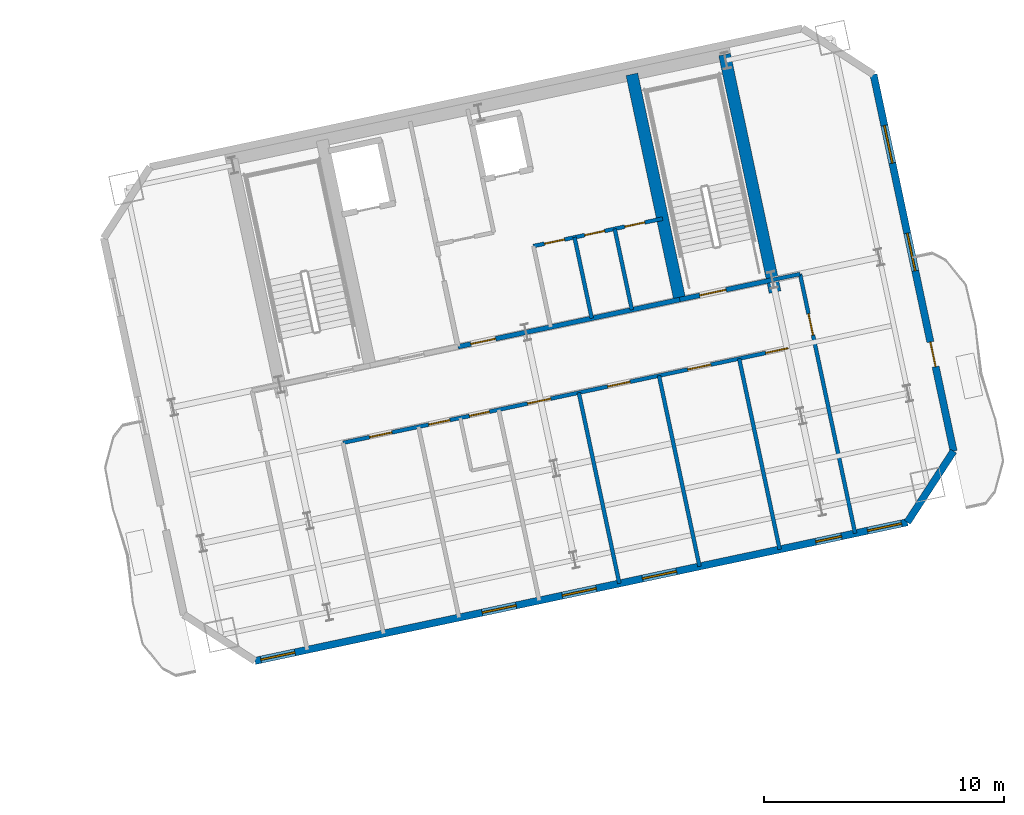
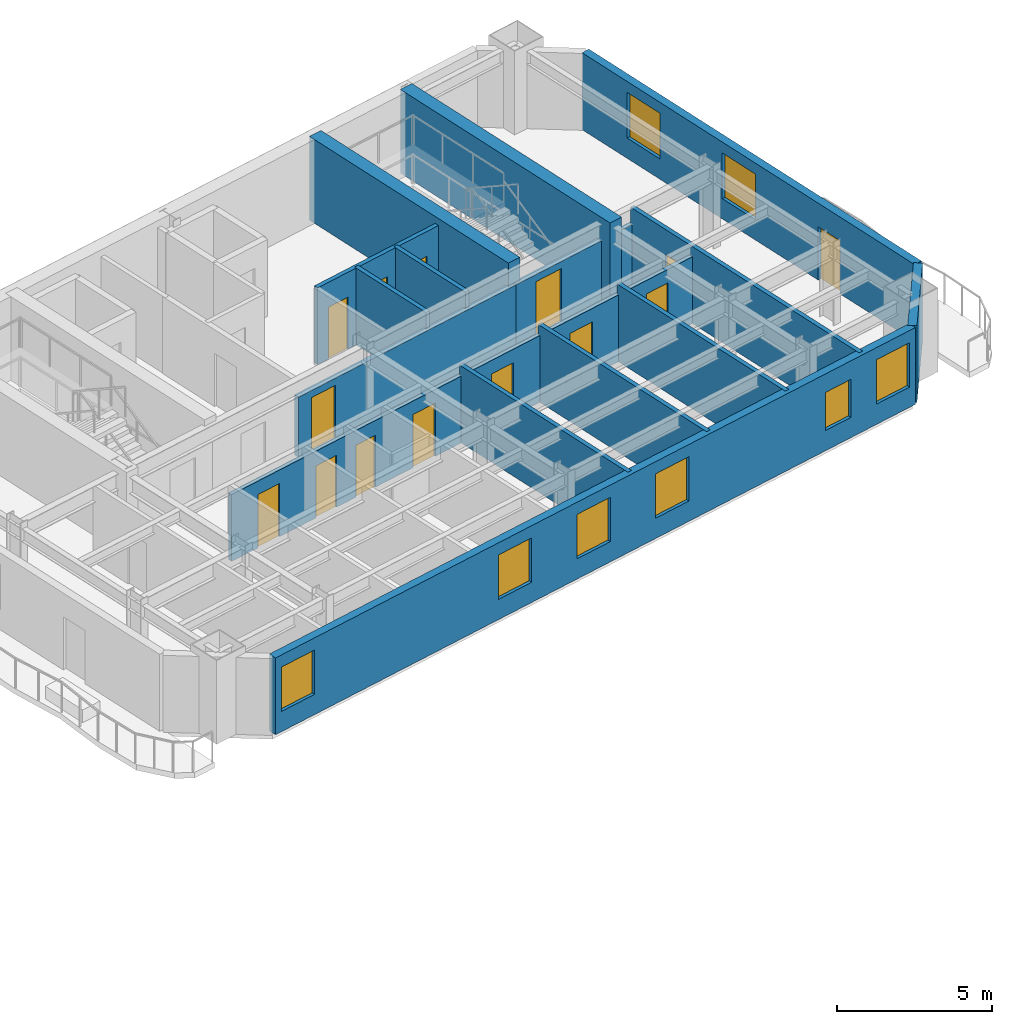
# One storey, part 8 of 13: 16 walls, 14 doors, 8 windows, 22 openings.
"""IFC4 building model written with IfcOpenShell, lengths in metres."""

import ifcopenshell
import ifcopenshell.guid

model = None  # the IFC model being written
_history = None  # IfcOwnerHistory: only IFC2X3 demands one
_inside = {}  # id of a spatial element -> (the spatial element, [elements in it])
_under = {}  # id of a project, library or spatial element -> (it, [spatial elements below it])
_declared = {}  # id of a project -> (the project, [libraries it declares])
_typed = {}  # id of a type object -> (the type object, [elements of that type])
_made_of = {}  # id of a material, layer set ... -> (it, [elements and type objects made of it])


def new_model(schema):
    """Start an empty IFC model of exactly this schema.

    Asked for "IFC4X3", IfcOpenShell would pick the latest addendum, in which some entities
    have other attributes; the version numbers below select the first issue.
    IFC2X3 requires an IfcOwnerHistory on every rooted entity: one is made here for all.
    """
    global model, _history
    if schema == "IFC4X3":
        model = ifcopenshell.file(schema_version=(4, 3, 0, 0))
    else:
        model = ifcopenshell.file(schema=schema)
    _inside.clear()
    _under.clear()
    _declared.clear()
    _typed.clear()
    _made_of.clear()
    _history = None
    if model.schema == "IFC2X3":
        org = make("IfcOrganization", Name="unknown")
        user = make(
            "IfcPersonAndOrganization",
            ThePerson=make("IfcPerson", FamilyName="unknown"),
            TheOrganization=org,
        )
        app = make(
            "IfcApplication",
            ApplicationDeveloper=org,
            Version="unknown",
            ApplicationFullName="unknown",
            ApplicationIdentifier="unknown",
        )
        _history = make(
            "IfcOwnerHistory",
            OwningUser=user,
            OwningApplication=app,
            ChangeAction="ADDED",
            CreationDate=0,
        )
    return model


def make(cls, **values):
    """One entity of the class cls with the attributes given. An attribute that is None is left unset."""
    return model.create_entity(
        cls, **{name: value for name, value in values.items() if value is not None}
    )


def rooted(cls, **values):
    """An entity with a GlobalId (a new one), such as an element, a storey or a relation."""
    return make(cls, GlobalId=ifcopenshell.guid.new(), OwnerHistory=_history, **values)


def si_unit(unit_type, name, prefix=None):
    """IfcSIUnit, for example si_unit("LENGTHUNIT", "METRE", prefix="MILLI")."""
    return make("IfcSIUnit", UnitType=unit_type, Prefix=prefix, Name=name)


def assignment(units):
    """IfcUnitAssignment: the units of a project."""
    return None if units is None else make("IfcUnitAssignment", Units=units)


def point(xyz):
    """IfcCartesianPoint."""
    return None if xyz is None else make("IfcCartesianPoint", Coordinates=xyz)


def direction(xyz):
    """IfcDirection."""
    return None if xyz is None else make("IfcDirection", DirectionRatios=xyz)


def frame(location, z_axis=None, x_axis=None):
    """IfcAxis2Placement3D, a coordinate frame: its origin and axes. An axis left out is left unset."""
    return make(
        "IfcAxis2Placement3D",
        Location=point(location),
        Axis=direction(z_axis),
        RefDirection=direction(x_axis),
    )


def frame_2d(location, x_axis=None):
    """IfcAxis2Placement2D, a coordinate frame in the plane: its origin and x axis."""
    return make(
        "IfcAxis2Placement2D", Location=point(location), RefDirection=direction(x_axis)
    )


def origin():
    """The frame at (0, 0, 0) with its axes left unset."""
    return frame((0.0, 0.0, 0.0))


def place(relative_to, where):
    """IfcLocalPlacement: puts the frame where relative to a parent placement (None: the world)."""
    return make(
        "IfcLocalPlacement", PlacementRelTo=relative_to, RelativePlacement=where
    )


def context(
    kind, dimensions, precision=None, world=None, true_north=None, identifier=None
):
    """IfcGeometricRepresentationContext, for example the 3D "Model" context."""
    return make(
        "IfcGeometricRepresentationContext",
        ContextIdentifier=identifier,
        ContextType=kind,
        CoordinateSpaceDimension=dimensions,
        Precision=precision,
        WorldCoordinateSystem=world,
        TrueNorth=true_north,
    )


def subcontext(parent, identifier, kind, view, scale=None):
    """IfcGeometricRepresentationSubContext, for example "Body" below "Model"."""
    return make(
        "IfcGeometricRepresentationSubContext",
        ContextIdentifier=identifier,
        ContextType=kind,
        ParentContext=parent,
        TargetScale=scale,
        TargetView=view,
    )


def project(units=None, contexts=None):
    """IfcProject with its units and contexts."""
    return rooted(
        "IfcProject",
        Name="project",
        RepresentationContexts=contexts,
        UnitsInContext=assignment(units),
    )


def spatial(cls, under=None, at=None, **own):
    """A site, building, storey or space (cls), placed at a placement, below another one or the project."""
    s = rooted(cls, ObjectPlacement=at, **own)
    if under is not None:
        _under.setdefault(under.id(), (under, []))[1].append(s)
    return s


def profile(cls, at=None, kind="AREA", **sizes):
    """A parametric profile (cls). Its sizes go by their IFC names, for example OverallWidth=200.0."""
    return make(cls, ProfileType=kind, Position=at, **sizes)


def rectangle(**sizes):
    """IfcRectangleProfileDef."""
    return profile("IfcRectangleProfileDef", **sizes)


def extrude(swept, where, along, depth):
    """IfcExtrudedAreaSolid: the profile swept, set in the frame where, extruded along a direction by depth."""
    return make(
        "IfcExtrudedAreaSolid",
        SweptArea=swept,
        Position=where,
        ExtrudedDirection=direction(along),
        Depth=depth,
    )


def shape(context_of_items, identifier, shape_type, items):
    """IfcShapeRepresentation: the items that make up one representation, for example the "Body"."""
    return make(
        "IfcShapeRepresentation",
        ContextOfItems=context_of_items,
        RepresentationIdentifier=identifier,
        RepresentationType=shape_type,
        Items=items,
    )


def material(Name=None, Category=None):
    """IfcMaterial."""
    return make("IfcMaterial", Name=Name, Category=Category)


def layer(
    of_material, thickness, ventilated=None, Name=None, Category=None, Priority=None
):
    """IfcMaterialLayer: one layer of a wall or slab, of a material (None: an air gap)."""
    return make(
        "IfcMaterialLayer",
        Material=of_material,
        LayerThickness=thickness,
        IsVentilated=ventilated,
        Name=Name,
        Category=Category,
        Priority=Priority,
    )


def layer_set(layers, Name=None):
    """IfcMaterialLayerSet."""
    return make("IfcMaterialLayerSet", MaterialLayers=layers, LayerSetName=Name)


def made_of(thing, what):
    """Note that an element or type object is made of a material, layer set ...; save() writes the relation."""
    if what is not None:
        _made_of.setdefault(what.id(), (what, []))[1].append(thing)
    return thing


def type_object(cls, material=None, **own):
    """A type object (cls), such as IfcWallType, which elements share."""
    return made_of(rooted(cls, **own), material)


def element(
    cls,
    number,
    at=None,
    inside=None,
    cuts=None,
    type_object=None,
    material=None,
    context=None,
    identifier="Body",
    shape_type=None,
    held_by="IfcProductDefinitionShape",
    body=None,
    shapes=None,
    **own,
):
    """One element of the class cls, such as IfcWall. Its Tag is "e" and its number.

    at: its placement. inside: the storey or other place that contains it. cuts: it is an
    opening in that element (IfcRelVoidsElement). A single representation is given by context,
    identifier, shape_type and body (its items); several are given by shapes. held_by: the class
    of the entity that holds the representations. save() writes the other relations.
    """
    e = rooted(cls, Tag="e%d" % number, ObjectPlacement=at, **own)
    if body is not None:
        shapes = [shape(context, identifier, shape_type, body)]
    if shapes is not None:
        e.Representation = make(held_by, Representations=shapes)
    if inside is not None:
        _inside.setdefault(inside.id(), (inside, []))[1].append(e)
    if cuts is not None:
        rooted(
            "IfcRelVoidsElement", RelatingBuildingElement=cuts, RelatedOpeningElement=e
        )
    if type_object is not None:
        _typed.setdefault(type_object.id(), (type_object, []))[1].append(e)
    return made_of(e, material)


def fill(opening, filler):
    """IfcRelFillsElement: the door or window that sits in an opening."""
    return rooted(
        "IfcRelFillsElement",
        RelatingOpeningElement=opening,
        RelatedBuildingElement=filler,
    )


def aggregate(whole, parts):
    """IfcRelAggregates: a whole, such as a stair, and the parts it consists of."""
    return rooted("IfcRelAggregates", RelatingObject=whole, RelatedObjects=parts)


def save(model, path):
    """Write the relations noted so far, then the file.

    IfcRelAggregates (storeys below a building ...), IfcRelContainedInSpatialStructure (elements
    in a storey), IfcRelDefinesByType, IfcRelAssociatesMaterial and IfcRelDeclares: one each for
    every whole, place, type object, material and project.
    """
    for whole, parts in _under.values():
        aggregate(whole, parts)
    for where, things in _inside.values():
        rooted(
            "IfcRelContainedInSpatialStructure",
            RelatedElements=things,
            RelatingStructure=where,
        )
    for kind, things in _typed.values():
        rooted("IfcRelDefinesByType", RelatedObjects=things, RelatingType=kind)
    for what, things in _made_of.values():
        rooted("IfcRelAssociatesMaterial", RelatedObjects=things, RelatingMaterial=what)
    for by, libraries in _declared.values():
        rooted("IfcRelDeclares", RelatingContext=by, RelatedDefinitions=libraries)
    model.write(path)


model = new_model("IFC4")

# Units and contexts
model_context = context("Model", 3, precision=1e-05, world=origin(), true_north=direction((0.0, 1.0)))
body_context = subcontext(model_context, "Body", "Model", "MODEL_VIEW")
ifc_project = project(units=[si_unit("LENGTHUNIT", "METRE"), si_unit("AREAUNIT", "SQUARE_METRE"), si_unit("VOLUMEUNIT", "CUBIC_METRE"), si_unit("PLANEANGLEUNIT", "RADIAN"), si_unit("MASSUNIT", "GRAM", prefix="KILO")], contexts=[model_context])

# Site, building, storey
site_placement = place(None, origin())
site = spatial("IfcSite", under=ifc_project, at=site_placement, CompositionType="ELEMENT")
building_placement = place(site_placement, origin())
building = spatial("IfcBuilding", under=site, at=building_placement, Name="Haevon Station Towers", CompositionType="ELEMENT")
storey_placement = place(building_placement, frame((0.0, 0.0, 149.39990234375)))
storey = spatial("IfcBuildingStorey", under=building, at=storey_placement, Name="L40", CompositionType="ELEMENT", Elevation=149.39990234375)

# Wall, opening, door
ifc_material_1 = material(Name="Gypsum board on steel stud", Category="steel")
ifc_layer_1 = layer(ifc_material_1, 0.199951171875)
ifc_layer_set_1 = layer_set([ifc_layer_1], Name="Gypsum board on steel stud")
wall_type_1 = type_object("IfcWallType", Name="WL-COR200", PredefinedType="PARTITIONING", material=ifc_layer_set_1)
wall_1_placement = place(storey_placement, frame((115.4296875, 40.9873046875, 0.0), z_axis=(0.0, 0.0, 1.0), x_axis=(0.978146596989, 0.207916413008, 0.0)))
wall_1 = element("IfcWall", 1, at=wall_1_placement, inside=storey, type_object=wall_type_1, Name="WL-ST-ST4-L40", PredefinedType="PARTITIONING", context=body_context, shape_type="SweptSolid", body=[
    extrude(rectangle(XDim=3.9501953125, YDim=0.199951171875, at=frame_2d((1.97509765625, 0.0))), origin(), (0.0, 0.0, 1.0), 2.380126953125),
])
opening_1_placement = place(wall_1_placement, frame((0.85009765625, 0.0, 0.0)))
opening_1 = element("IfcOpeningElement", 2, at=opening_1_placement, cuts=wall_1, Name="Opening DR-ST-ST4-L40", PredefinedType="OPENING", context=body_context, shape_type="SweptSolid", body=[
    extrude(rectangle(XDim=1.1201171875, YDim=2.10009765625, at=frame_2d((0.56005859375, 1.050048828125))), frame((0.0, 0.10986328125, 0.0), z_axis=(0.0, -1.0, 0.0), x_axis=(1.0, 0.0, 0.0)), (0.0, 0.0, 1.0), 0.219970703125),
])
ifc_material_2 = material(Name="Engineered oak timber", Category="wood")
door_type_1 = type_object("IfcDoorType", Name="DR-ST-1120", OperationType="NOTDEFINED", PredefinedType="DOOR", material=ifc_material_2)
door_1_placement = place(opening_1_placement, origin())
door_1 = element("IfcDoor", 3, at=door_1_placement, inside=storey, type_object=door_type_1, Name="L40 Escape Stair ST4 Fire Door", OperationType="SINGLE_SWING_RIGHT", OverallHeight=2.10009765625, OverallWidth=1.1201171875, PredefinedType="DOOR", context=body_context, shape_type="SweptSolid", body=[
    extrude(rectangle(XDim=1.1201171875, YDim=2.10009765625, at=frame_2d((0.56005859375, 1.050048828125))), frame((0.0, 0.02490234375, 0.0), z_axis=(0.0, -1.0, 0.0), x_axis=(1.0, 0.0, 0.0)), (0.0, 0.0, 1.0), 0.050048828125),
])
fill(opening_1, door_1)

wall_2_placement = place(storey_placement, frame((106.186279296875, 39.0224609375, 0.0), z_axis=(0.0, 0.0, 1.0), x_axis=(0.978145519981, 0.20792147975, 0.0)))
wall_2 = element("IfcWall", 4, at=wall_2_placement, inside=storey, type_object=wall_type_1, Name="WL-T2CLB-L40", PredefinedType="PARTITIONING", context=body_context, shape_type="SweptSolid", body=[
    extrude(rectangle(XDim=9.449951171875, YDim=0.199951171875, at=frame_2d((4.72509765625, 0.0))), origin(), (0.0, 0.0, 1.0), 2.380126953125),
])
opening_2_placement = place(wall_2_placement, frame((0.550048828125, 0.0, 0.0)))
opening_2 = element("IfcOpeningElement", 5, at=opening_2_placement, cuts=wall_2, Name="Opening DR-T2CLB-L40-1", PredefinedType="OPENING", context=body_context, shape_type="SweptSolid", body=[
    extrude(rectangle(XDim=1.050048828125, YDim=2.10009765625, at=frame_2d((0.52490234375, 1.050048828125))), frame((0.0, 0.10986328125, 0.0), z_axis=(0.0, -1.0, 0.0), x_axis=(1.0, 0.0, 0.0)), (0.0, 0.0, 1.0), 0.219970703125),
])
door_type_2 = type_object("IfcDoorType", Name="DR-FD60-1050", OperationType="NOTDEFINED", PredefinedType="DOOR", material=ifc_material_2)
door_2_placement = place(opening_2_placement, origin())
door_2 = element("IfcDoor", 6, at=door_2_placement, inside=storey, type_object=door_type_2, Name="L40 Tower 2 Core Lift Lobby Door 1", OperationType="SINGLE_SWING_LEFT", OverallHeight=2.10009765625, OverallWidth=1.050048828125, PredefinedType="DOOR", context=body_context, shape_type="SweptSolid", body=[
    extrude(rectangle(XDim=1.050048828125, YDim=2.10009765625, at=frame_2d((0.52490234375, 1.050048828125))), frame((0.0, 0.02490234375, 0.0), z_axis=(0.0, -1.0, 0.0), x_axis=(1.0, 0.0, 0.0)), (0.0, 0.0, 1.0), 0.050048828125),
])
fill(opening_2, door_2)

# Walls
ifc_material_3 = material(Name="Concrete C60/75", Category="concrete")
ifc_layer_2 = layer(ifc_material_3, 0.5)
ifc_layer_set_2 = layer_set([ifc_layer_2], Name="Concrete C60/75")
wall_type_2 = type_object("IfcWallType", Name="WL-CR500", PredefinedType="SHEAR", material=ifc_layer_set_2)
wall_3_placement = place(storey_placement, frame((119.401611328125, 41.2998046875, 0.0), z_axis=(0.0, 0.0, 1.0), x_axis=(-0.207904342798, 0.978149162575, 0.0)))
element("IfcWall", 7, at=wall_3_placement, inside=storey, type_object=wall_type_2, Name="WL-T2CR-L40-E", PredefinedType="SHEAR", context=body_context, shape_type="SweptSolid", body=[
    extrude(rectangle(XDim=10.1201171875, YDim=0.5, at=frame_2d((5.06005859375, 0.0))), origin(), (0.0, 0.0, 1.0), 3.300048828125),
])
wall_4_placement = place(storey_placement, frame((115.4296875, 40.9873046875, 0.0), z_axis=(0.0, 0.0, 1.0), x_axis=(-0.207903162969, 0.978149413345, 0.0)))
element("IfcWall", 8, at=wall_4_placement, inside=storey, type_object=wall_type_2, Name="WL-T2CR-L40-M2", PredefinedType="SHEAR", context=body_context, shape_type="SweptSolid", body=[
    extrude(rectangle(XDim=9.599853515625, YDim=0.5, at=frame_2d((4.7998046875, 0.0))), origin(), (0.0, 0.0, 1.0), 3.300048828125),
])

# Wall, openings, windows
ifc_material_4 = material(Name="Precast concrete C45/55", Category="concrete")
ifc_layer_3 = layer(ifc_material_4, 0.300048828125)
ifc_layer_set_3 = layer_set([ifc_layer_3], Name="Precast concrete C45/55")
wall_type_3 = type_object("IfcWallType", Name="WL-EXT-PIER300", PredefinedType="SOLIDWALL", material=ifc_layer_set_3)
wall_5_placement = place(storey_placement, frame((124.91650390625, 31.70703125, 0.0), z_axis=(0.0, 0.0, 1.0), x_axis=(-0.978146796741, -0.20791547327, 0.0)))
wall_5 = element("IfcWall", 9, at=wall_5_placement, inside=storey, type_object=wall_type_3, Name="WL-T2-L40-S", PredefinedType="SOLIDWALL", context=body_context, shape_type="SweptSolid", body=[
    extrude(rectangle(XDim=27.7998046875, YDim=0.300048828125, at=frame_2d((13.89990234375, 0.0))), origin(), (0.0, 0.0, 1.0), 3.030029296875),
])
opening_3_placement = place(wall_5_placement, frame((26.10009765625, 0.0, 0.800048828125)))
opening_3 = element("IfcOpeningElement", 10, at=opening_3_placement, cuts=wall_5, Name="Opening WN-P145", PredefinedType="OPENING", context=body_context, shape_type="SweptSolid", body=[
    extrude(rectangle(XDim=1.449951171875, YDim=1.75, at=frame_2d((0.72509765625, 0.875))), frame((0.0, 0.159912109375, 0.0), z_axis=(0.0, -1.0, 0.0), x_axis=(1.0, 0.0, 0.0)), (0.0, 0.0, 1.0), 0.320068359375),
])
opening_4_placement = place(wall_5_placement, frame((0.25, 0.0, 0.800048828125)))
opening_4 = element("IfcOpeningElement", 11, at=opening_4_placement, cuts=wall_5, Name="Opening WN-P145", PredefinedType="OPENING", context=body_context, shape_type="SweptSolid", body=[
    extrude(rectangle(XDim=1.449951171875, YDim=1.75, at=frame_2d((0.72509765625, 0.875))), frame((0.0, 0.159912109375, 0.0), z_axis=(0.0, -1.0, 0.0), x_axis=(1.0, 0.0, 0.0)), (0.0, 0.0, 1.0), 0.320068359375),
])
opening_5_placement = place(wall_5_placement, frame((16.671630859375, 0.0, 0.800048828125)))
opening_5 = element("IfcOpeningElement", 12, at=opening_5_placement, cuts=wall_5, Name="Opening WN-P145", PredefinedType="OPENING", context=body_context, shape_type="SweptSolid", body=[
    extrude(rectangle(XDim=1.449951171875, YDim=1.75, at=frame_2d((0.72509765625, 0.875))), frame((0.0, 0.159912109375, 0.0), z_axis=(0.0, -1.0, 0.0), x_axis=(1.0, 0.0, 0.0)), (0.0, 0.0, 1.0), 0.320068359375),
])
opening_6_placement = place(wall_5_placement, frame((13.255615234375, 0.0, 0.800048828125)))
opening_6 = element("IfcOpeningElement", 13, at=opening_6_placement, cuts=wall_5, Name="Opening WN-P145", PredefinedType="OPENING", context=body_context, shape_type="SweptSolid", body=[
    extrude(rectangle(XDim=1.449951171875, YDim=1.75, at=frame_2d((0.72509765625, 0.875))), frame((0.0, 0.159912109375, 0.0), z_axis=(0.0, -1.0, 0.0), x_axis=(1.0, 0.0, 0.0)), (0.0, 0.0, 1.0), 0.320068359375),
])
opening_7_placement = place(wall_5_placement, frame((9.83935546875, 0.0, 0.800048828125)))
opening_7 = element("IfcOpeningElement", 14, at=opening_7_placement, cuts=wall_5, Name="Opening WN-P145", PredefinedType="OPENING", context=body_context, shape_type="SweptSolid", body=[
    extrude(rectangle(XDim=1.449951171875, YDim=1.75, at=frame_2d((0.72509765625, 0.875))), frame((0.0, 0.159912109375, 0.0), z_axis=(0.0, -1.0, 0.0), x_axis=(1.0, 0.0, 0.0)), (0.0, 0.0, 1.0), 0.320068359375),
])
opening_8_placement = place(wall_5_placement, frame((2.808349609375, 0.0, 0.800048828125)))
opening_8 = element("IfcOpeningElement", 15, at=opening_8_placement, cuts=wall_5, Name="Opening WN-COR110", PredefinedType="OPENING", context=body_context, shape_type="SweptSolid", body=[
    extrude(rectangle(XDim=1.10009765625, YDim=1.5, at=frame_2d((0.550048828125, 0.75))), frame((0.0, 0.159912109375, 0.0), z_axis=(0.0, -1.0, 0.0), x_axis=(1.0, 0.0, 0.0)), (0.0, 0.0, 1.0), 0.320068359375),
])
ifc_material_5 = material(Name="Low-E triple glazing in thermally broken aluminium", Category="aluminium")
window_type_1 = type_object("IfcWindowType", Name="WN-COR110", PartitioningType="SINGLE_PANEL", PredefinedType="WINDOW", material=ifc_material_5)
window_1_placement = place(opening_8_placement, origin())
window_1 = element("IfcWindow", 16, at=window_1_placement, inside=storey, type_object=window_type_1, Name="WN-T2-L40-S06", OverallHeight=1.5, OverallWidth=1.10009765625, PartitioningType="SINGLE_PANEL", PredefinedType="WINDOW", context=body_context, shape_type="SweptSolid", body=[
    extrude(rectangle(XDim=1.10009765625, YDim=1.5, at=frame_2d((0.550048828125, 0.75))), frame((0.0, 0.030029296875, 0.0), z_axis=(0.0, -1.0, 0.0), x_axis=(1.0, 0.0, 0.0)), (0.0, 0.0, 1.0), 0.06005859375),
])
fill(opening_8, window_1)
window_type_2 = type_object("IfcWindowType", Name="WN-P145", PartitioningType="SINGLE_PANEL", PredefinedType="WINDOW", material=ifc_material_5)
window_2_placement = place(opening_3_placement, origin())
window_2 = element("IfcWindow", 17, at=window_2_placement, inside=storey, type_object=window_type_2, Name="WN-T2-L40-S01", OverallHeight=1.75, OverallWidth=1.449951171875, PartitioningType="SINGLE_PANEL", PredefinedType="WINDOW", context=body_context, shape_type="SweptSolid", body=[
    extrude(rectangle(XDim=1.449951171875, YDim=1.75, at=frame_2d((0.72509765625, 0.875))), frame((0.0, 0.030029296875, 0.0), z_axis=(0.0, -1.0, 0.0), x_axis=(1.0, 0.0, 0.0)), (0.0, 0.0, 1.0), 0.06005859375),
])
fill(opening_3, window_2)
window_3_placement = place(opening_4_placement, origin())
window_3 = element("IfcWindow", 18, at=window_3_placement, inside=storey, type_object=window_type_2, Name="WN-T2-L40-S02", OverallHeight=1.75, OverallWidth=1.449951171875, PartitioningType="SINGLE_PANEL", PredefinedType="WINDOW", context=body_context, shape_type="SweptSolid", body=[
    extrude(rectangle(XDim=1.449951171875, YDim=1.75, at=frame_2d((0.72509765625, 0.875))), frame((0.0, 0.030029296875, 0.0), z_axis=(0.0, -1.0, 0.0), x_axis=(1.0, 0.0, 0.0)), (0.0, 0.0, 1.0), 0.06005859375),
])
fill(opening_4, window_3)
window_4_placement = place(opening_5_placement, origin())
window_4 = element("IfcWindow", 19, at=window_4_placement, inside=storey, type_object=window_type_2, Name="WN-T2-L40-S03", OverallHeight=1.75, OverallWidth=1.449951171875, PartitioningType="SINGLE_PANEL", PredefinedType="WINDOW", context=body_context, shape_type="SweptSolid", body=[
    extrude(rectangle(XDim=1.449951171875, YDim=1.75, at=frame_2d((0.72509765625, 0.875))), frame((0.0, 0.030029296875, 0.0), z_axis=(0.0, -1.0, 0.0), x_axis=(1.0, 0.0, 0.0)), (0.0, 0.0, 1.0), 0.06005859375),
])
fill(opening_5, window_4)
window_5_placement = place(opening_6_placement, origin())
window_5 = element("IfcWindow", 20, at=window_5_placement, inside=storey, type_object=window_type_2, Name="WN-T2-L40-S04", OverallHeight=1.75, OverallWidth=1.449951171875, PartitioningType="SINGLE_PANEL", PredefinedType="WINDOW", context=body_context, shape_type="SweptSolid", body=[
    extrude(rectangle(XDim=1.449951171875, YDim=1.75, at=frame_2d((0.72509765625, 0.875))), frame((0.0, 0.030029296875, 0.0), z_axis=(0.0, -1.0, 0.0), x_axis=(1.0, 0.0, 0.0)), (0.0, 0.0, 1.0), 0.06005859375),
])
fill(opening_6, window_5)
window_6_placement = place(opening_7_placement, origin())
window_6 = element("IfcWindow", 21, at=window_6_placement, inside=storey, type_object=window_type_2, Name="WN-T2-L40-S05", OverallHeight=1.75, OverallWidth=1.449951171875, PartitioningType="SINGLE_PANEL", PredefinedType="WINDOW", context=body_context, shape_type="SweptSolid", body=[
    extrude(rectangle(XDim=1.449951171875, YDim=1.75, at=frame_2d((0.72509765625, 0.875))), frame((0.0, 0.030029296875, 0.0), z_axis=(0.0, -1.0, 0.0), x_axis=(1.0, 0.0, 0.0)), (0.0, 0.0, 1.0), 0.06005859375),
])
fill(opening_7, window_6)

# Wall, openings, door, windows
wall_6_placement = place(storey_placement, frame((123.505126953125, 50.371337890625, 0.0), z_axis=(0.0, 0.0, 1.0), x_axis=(0.207922793235, -0.978145240776, 0.0)))
wall_6 = element("IfcWall", 22, at=wall_6_placement, inside=storey, type_object=wall_type_3, Name="WL-T2-L40-E", PredefinedType="SOLIDWALL", context=body_context, shape_type="SweptSolid", body=[
    extrude(rectangle(XDim=16.050048828125, YDim=0.300048828125, at=frame_2d((8.02490234375, 0.0))), origin(), (0.0, 0.0, 1.0), 3.030029296875),
])
opening_9_placement = place(wall_6_placement, frame((11.39990234375, 0.0, 0.0)))
opening_9 = element("IfcOpeningElement", 23, at=opening_9_placement, cuts=wall_6, Name="Opening DR-T2-SCAL-L40-E", PredefinedType="OPENING", context=body_context, shape_type="SweptSolid", body=[
    extrude(rectangle(XDim=1.050048828125, YDim=2.10009765625, at=frame_2d((0.52490234375, 1.050048828125))), frame((0.0, 0.159912109375, 0.0), z_axis=(0.0, -1.0, 0.0), x_axis=(1.0, 0.0, 0.0)), (0.0, 0.0, 1.0), 0.320068359375),
])
opening_10_placement = place(wall_6_placement, frame((2.1767578125, 0.0, 0.800048828125)))
opening_10 = element("IfcOpeningElement", 24, at=opening_10_placement, cuts=wall_6, Name="Opening WN-END160", PredefinedType="OPENING", context=body_context, shape_type="SweptSolid", body=[
    extrude(rectangle(XDim=1.60009765625, YDim=1.800048828125, at=frame_2d((0.800048828125, 0.89990234375))), frame((0.0, 0.159912109375, 0.0), z_axis=(0.0, -1.0, 0.0), x_axis=(1.0, 0.0, 0.0)), (0.0, 0.0, 1.0), 0.320068359375),
])
opening_11_placement = place(wall_6_placement, frame((6.76611328125, 0.0, 0.800048828125)))
opening_11 = element("IfcOpeningElement", 25, at=opening_11_placement, cuts=wall_6, Name="Opening WN-END160", PredefinedType="OPENING", context=body_context, shape_type="SweptSolid", body=[
    extrude(rectangle(XDim=1.60009765625, YDim=1.800048828125, at=frame_2d((0.800048828125, 0.89990234375))), frame((0.0, 0.159912109375, 0.0), z_axis=(0.0, -1.0, 0.0), x_axis=(1.0, 0.0, 0.0)), (0.0, 0.0, 1.0), 0.320068359375),
])
ifc_material_6 = material(Name="Thermally broken anodised aluminium and laminated safety glass", Category="aluminium")
door_type_3 = type_object("IfcDoorType", Name="DR-BALC-1050", OperationType="NOTDEFINED", PredefinedType="DOOR", material=ifc_material_6)
door_3_placement = place(opening_9_placement, origin())
door_3 = element("IfcDoor", 26, at=door_3_placement, inside=storey, type_object=door_type_3, Name="Tower 2 L40 East Scalloped Balcony Door", OperationType="SINGLE_SWING_RIGHT", OverallHeight=2.10009765625, OverallWidth=1.050048828125, PredefinedType="DOOR", context=body_context, shape_type="SweptSolid", body=[
    extrude(rectangle(XDim=1.050048828125, YDim=2.10009765625, at=frame_2d((0.52490234375, 1.050048828125))), frame((0.0, 0.02490234375, 0.0), z_axis=(0.0, -1.0, 0.0), x_axis=(1.0, 0.0, 0.0)), (0.0, 0.0, 1.0), 0.050048828125),
])
fill(opening_9, door_3)
window_type_3 = type_object("IfcWindowType", Name="WN-END160", PartitioningType="SINGLE_PANEL", PredefinedType="WINDOW", material=ifc_material_5)
window_7_placement = place(opening_10_placement, origin())
window_7 = element("IfcWindow", 27, at=window_7_placement, inside=storey, type_object=window_type_3, Name="WN-T2-L40-E01", OverallHeight=1.800048828125, OverallWidth=1.60009765625, PartitioningType="SINGLE_PANEL", PredefinedType="WINDOW", context=body_context, shape_type="SweptSolid", body=[
    extrude(rectangle(XDim=1.60009765625, YDim=1.800048828125, at=frame_2d((0.800048828125, 0.89990234375))), frame((0.0, 0.030029296875, 0.0), z_axis=(0.0, -1.0, 0.0), x_axis=(1.0, 0.0, 0.0)), (0.0, 0.0, 1.0), 0.06005859375),
])
fill(opening_10, window_7)
window_8_placement = place(opening_11_placement, origin())
window_8 = element("IfcWindow", 28, at=window_8_placement, inside=storey, type_object=window_type_3, Name="WN-T2-L40-E02", OverallHeight=1.800048828125, OverallWidth=1.60009765625, PartitioningType="SINGLE_PANEL", PredefinedType="WINDOW", context=body_context, shape_type="SweptSolid", body=[
    extrude(rectangle(XDim=1.60009765625, YDim=1.800048828125, at=frame_2d((0.800048828125, 0.89990234375))), frame((0.0, 0.030029296875, 0.0), z_axis=(0.0, -1.0, 0.0), x_axis=(1.0, 0.0, 0.0)), (0.0, 0.0, 1.0), 0.06005859375),
])
fill(opening_11, window_8)

# Walls
wall_7_placement = place(storey_placement, frame((126.84228515625, 34.672119140625, 0.0), z_axis=(0.0, 0.0, 1.0), x_axis=(-0.544684921471, -0.838640767148, 0.0)))
element("IfcWall", 29, at=wall_7_placement, inside=storey, type_object=wall_type_3, Name="WL-T2-L40-SEC", PredefinedType="SOLIDWALL", context=body_context, shape_type="SweptSolid", body=[
    extrude(rectangle(XDim=3.53564453125, YDim=0.300048828125, at=frame_2d((1.767822265625, 0.0))), origin(), (0.0, 0.0, 1.0), 3.030029296875),
])
ifc_layer_4 = layer(ifc_material_1, 0.159912109375)
ifc_layer_set_4 = layer_set([ifc_layer_4], Name="Gypsum board on steel stud")
wall_type_4 = type_object("IfcWallType", Name="WL-PRT160", PredefinedType="PARTITIONING", material=ifc_layer_set_4)
wall_8_placement = place(storey_placement, frame((111.76171875, 40.20751953125, 0.0), z_axis=(0.0, 0.0, 1.0), x_axis=(-0.207900225061, 0.978150037785, 0.0)))
element("IfcWall", 30, at=wall_8_placement, inside=storey, type_object=wall_type_4, Name="WL-T2CW-L40-06", PredefinedType="PARTITIONING", context=body_context, shape_type="SweptSolid", body=[
    extrude(rectangle(XDim=3.4501953125, YDim=0.159912109375, at=frame_2d((1.72509765625, 0.0))), origin(), (0.0, 0.0, 1.0), 3.030029296875),
])
wall_9_placement = place(storey_placement, frame((113.434326171875, 40.563232421875, 0.0), z_axis=(0.0, 0.0, 1.0), x_axis=(-0.207914616127, 0.978146978935, 0.0)))
element("IfcWall", 31, at=wall_9_placement, inside=storey, type_object=wall_type_4, Name="WL-T2CW-L40-07", PredefinedType="PARTITIONING", context=body_context, shape_type="SweptSolid", body=[
    extrude(rectangle(XDim=3.449951171875, YDim=0.159912109375, at=frame_2d((1.72509765625, 0.0))), origin(), (0.0, 0.0, 1.0), 3.030029296875),
])

# Wall, openings, doors
wall_10_placement = place(storey_placement, frame((109.332763671875, 43.218505859375, 0.0), z_axis=(0.0, 0.0, 1.0), x_axis=(0.978153773776, 0.207882646816, 0.0)))
wall_10 = element("IfcWall", 32, at=wall_10_placement, inside=storey, type_object=wall_type_4, Name="WL-T2CW-L40-08", PredefinedType="PARTITIONING", context=body_context, shape_type="SweptSolid", body=[
    extrude(rectangle(XDim=5.499755859375, YDim=0.159912109375, at=frame_2d((2.75, 0.0))), origin(), (0.0, 0.0, 1.0), 3.030029296875),
])
opening_12_placement = place(wall_10_placement, frame((0.469970703125, 0.0, 0.0)))
opening_12 = element("IfcOpeningElement", 33, at=opening_12_placement, cuts=wall_10, Name="Opening DR-WL-T2CW-L40-08-1", PredefinedType="OPENING", context=body_context, shape_type="SweptSolid", body=[
    extrude(rectangle(XDim=0.85009765625, YDim=2.050048828125, at=frame_2d((0.425048828125, 1.02490234375))), frame((0.0, 0.08984375, 0.0), z_axis=(0.0, -1.0, 0.0), x_axis=(1.0, 0.0, 0.0)), (0.0, 0.0, 1.0), 0.179931640625),
])
opening_13_placement = place(wall_10_placement, frame((2.179931640625, 0.0, 0.0)))
opening_13 = element("IfcOpeningElement", 34, at=opening_13_placement, cuts=wall_10, Name="Opening DR-WL-T2CW-L40-08-2", PredefinedType="OPENING", context=body_context, shape_type="SweptSolid", body=[
    extrude(rectangle(XDim=0.85009765625, YDim=2.050048828125, at=frame_2d((0.425048828125, 1.02490234375))), frame((0.0, 0.08984375, 0.0), z_axis=(0.0, -1.0, 0.0), x_axis=(1.0, 0.0, 0.0)), (0.0, 0.0, 1.0), 0.179931640625),
])
opening_14_placement = place(wall_10_placement, frame((3.89501953125, 0.0, 0.0)))
opening_14 = element("IfcOpeningElement", 35, at=opening_14_placement, cuts=wall_10, Name="Opening DR-WL-T2CW-L40-08-3", PredefinedType="OPENING", context=body_context, shape_type="SweptSolid", body=[
    extrude(rectangle(XDim=0.85009765625, YDim=2.050048828125, at=frame_2d((0.425048828125, 1.02490234375))), frame((0.0, 0.08984375, 0.0), z_axis=(0.0, -1.0, 0.0), x_axis=(1.0, 0.0, 0.0)), (0.0, 0.0, 1.0), 0.179931640625),
])
door_type_4 = type_object("IfcDoorType", Name="DR-FD30-850", OperationType="NOTDEFINED", PredefinedType="DOOR", material=ifc_material_2)
door_4_placement = place(opening_12_placement, origin())
door_4 = element("IfcDoor", 36, at=door_4_placement, inside=storey, type_object=door_type_4, Name="L40 Tower 2 Core Room Door 8-1", OperationType="SINGLE_SWING_RIGHT", OverallHeight=2.050048828125, OverallWidth=0.85009765625, PredefinedType="DOOR", context=body_context, shape_type="SweptSolid", body=[
    extrude(rectangle(XDim=0.85009765625, YDim=2.050048828125, at=frame_2d((0.425048828125, 1.02490234375))), frame((0.0, 0.02490234375, 0.0), z_axis=(0.0, -1.0, 0.0), x_axis=(1.0, 0.0, 0.0)), (0.0, 0.0, 1.0), 0.050048828125),
])
fill(opening_12, door_4)
door_5_placement = place(opening_13_placement, origin())
door_5 = element("IfcDoor", 37, at=door_5_placement, inside=storey, type_object=door_type_4, Name="L40 Tower 2 Core Room Door 8-2", OperationType="SINGLE_SWING_LEFT", OverallHeight=2.050048828125, OverallWidth=0.85009765625, PredefinedType="DOOR", context=body_context, shape_type="SweptSolid", body=[
    extrude(rectangle(XDim=0.85009765625, YDim=2.050048828125, at=frame_2d((0.425048828125, 1.02490234375))), frame((0.0, 0.02490234375, 0.0), z_axis=(0.0, -1.0, 0.0), x_axis=(1.0, 0.0, 0.0)), (0.0, 0.0, 1.0), 0.050048828125),
])
fill(opening_13, door_5)
door_6_placement = place(opening_14_placement, origin())
door_6 = element("IfcDoor", 38, at=door_6_placement, inside=storey, type_object=door_type_4, Name="L40 Tower 2 Core Room Door 8-3", OperationType="SINGLE_SWING_RIGHT", OverallHeight=2.050048828125, OverallWidth=0.85009765625, PredefinedType="DOOR", context=body_context, shape_type="SweptSolid", body=[
    extrude(rectangle(XDim=0.85009765625, YDim=2.050048828125, at=frame_2d((0.425048828125, 1.02490234375))), frame((0.0, 0.02490234375, 0.0), z_axis=(0.0, -1.0, 0.0), x_axis=(1.0, 0.0, 0.0)), (0.0, 0.0, 1.0), 0.050048828125),
])
fill(opening_14, door_6)

# Wall
wall_11_placement = place(storey_placement, frame((119.29345703125, 41.80859375, 0.0), z_axis=(0.0, 0.0, 1.0), x_axis=(0.978177856367, 0.207769298294, 0.0)))
element("IfcWall", 39, at=wall_11_placement, inside=storey, type_object=wall_type_4, Name="WL-T2PT-L40-03", PredefinedType="PARTITIONING", context=body_context, shape_type="SweptSolid", body=[
    extrude(rectangle(XDim=1.175048828125, YDim=0.159912109375, at=frame_2d((0.58740234375, 0.0))), origin(), (0.0, 0.0, 1.0), 2.380126953125),
])

# Wall, opening, door
wall_12_placement = place(storey_placement, frame((122.740234375, 31.244384765625, 0.0), z_axis=(0.0, 0.0, 1.0), x_axis=(-0.207909755675, 0.978148012059, 0.0)))
wall_12 = element("IfcWall", 40, at=wall_12_placement, inside=storey, type_object=wall_type_4, Name="WL-T2PT-L40-05", PredefinedType="PARTITIONING", context=body_context, shape_type="SweptSolid", body=[
    extrude(rectangle(XDim=11.0498046875, YDim=0.159912109375, at=frame_2d((5.52490234375, 0.0))), origin(), (0.0, 0.0, 1.0), 3.030029296875),
])
opening_15_placement = place(wall_12_placement, frame((8.449951171875, 0.0, 0.0)))
opening_15 = element("IfcOpeningElement", 41, at=opening_15_placement, cuts=wall_12, Name="Opening DR-WL-T2PT-L40-05-01", PredefinedType="OPENING", context=body_context, shape_type="SweptSolid", body=[
    extrude(rectangle(XDim=0.89990234375, YDim=2.050048828125, at=frame_2d((0.449951171875, 1.02490234375))), frame((0.0, 0.08984375, 0.0), z_axis=(0.0, -1.0, 0.0), x_axis=(1.0, 0.0, 0.0)), (0.0, 0.0, 1.0), 0.179931640625),
])
door_type_5 = type_object("IfcDoorType", Name="DR-INT-900", OperationType="NOTDEFINED", PredefinedType="DOOR", material=ifc_material_2)
door_7_placement = place(opening_15_placement, origin())
door_7 = element("IfcDoor", 42, at=door_7_placement, inside=storey, type_object=door_type_5, Name="L40 Tower 2 Room Door 5-1", OperationType="SINGLE_SWING_RIGHT", OverallHeight=2.050048828125, OverallWidth=0.89990234375, PredefinedType="DOOR", context=body_context, shape_type="SweptSolid", body=[
    extrude(rectangle(XDim=0.89990234375, YDim=2.050048828125, at=frame_2d((0.449951171875, 1.02490234375))), frame((0.0, 0.02490234375, 0.0), z_axis=(0.0, -1.0, 0.0), x_axis=(1.0, 0.0, 0.0)), (0.0, 0.0, 1.0), 0.050048828125),
])
fill(opening_15, door_7)

# Walls
for number, where, z_axis, x_axis, name in (
    (43, (112.912353515625, 29.1552734375, 0.0), (0.0, 0.0, 1.0), (-0.207923042997, 0.978145187685, 0.0), "WL-T2PT-L40-10"),
    (44, (116.253662109375, 29.865478515625, 0.0), (0.0, 0.0, 1.0), (-0.207894311631, 0.978151294633, 0.0), "WL-T2PT-L40-11"),
):
    element("IfcWall", number, at=place(storey_placement, frame(where, z_axis=z_axis, x_axis=x_axis)), inside=storey, type_object=wall_type_4, Name=name, PredefinedType="PARTITIONING", context=body_context, shape_type="SweptSolid", body=[
        extrude(rectangle(XDim=8.130126953125, YDim=0.159912109375, at=frame_2d((4.06494140625, 0.0))), origin(), (0.0, 0.0, 1.0), 3.030029296875),
    ])
wall_13_placement = place(storey_placement, frame((119.59521484375, 30.575927734375, 0.0), z_axis=(0.0, 0.0, 1.0), x_axis=(-0.20790041837, 0.978149996699, 0.0)))
element("IfcWall", 45, at=wall_13_placement, inside=storey, type_object=wall_type_4, Name="WL-T2PT-L40-12", PredefinedType="PARTITIONING", context=body_context, shape_type="SweptSolid", body=[
    extrude(rectangle(XDim=8.1298828125, YDim=0.159912109375, at=frame_2d((4.06494140625, 0.0))), origin(), (0.0, 0.0, 1.0), 3.030029296875),
])

# Wall, openings, doors
wall_14_placement = place(storey_placement, frame((101.39404296875, 35.0185546875, 0.0), z_axis=(0.0, 0.0, 1.0), x_axis=(0.97814495389, 0.20792414285, 0.0)))
wall_14 = element("IfcWall", 46, at=wall_14_placement, inside=storey, type_object=wall_type_4, Name="WL-T2PT-L40-13", PredefinedType="PARTITIONING", context=body_context, shape_type="SweptSolid", body=[
    extrude(rectangle(XDim=20.094970703125, YDim=0.159912109375, at=frame_2d((10.04736328125, 0.0))), origin(), (0.0, 0.0, 1.0), 2.630126953125),
])
opening_16_placement = place(wall_14_placement, frame((1.133056640625, 0.0, 0.0)))
opening_16 = element("IfcOpeningElement", 47, at=opening_16_placement, cuts=wall_14, Name="Opening DR-WL-T2PT-L40-13-01", PredefinedType="OPENING", context=body_context, shape_type="SweptSolid", body=[
    extrude(rectangle(XDim=0.949951171875, YDim=2.10009765625, at=frame_2d((0.47509765625, 1.050048828125))), frame((0.0, 0.08984375, 0.0), z_axis=(0.0, -1.0, 0.0), x_axis=(1.0, 0.0, 0.0)), (0.0, 0.0, 1.0), 0.179931640625),
])
opening_17_placement = place(wall_14_placement, frame((5.387939453125, 0.0, 0.0)))
opening_17 = element("IfcOpeningElement", 48, at=opening_17_placement, cuts=wall_14, Name="Opening DR-WL-T2PT-L40-13-02", PredefinedType="OPENING", context=body_context, shape_type="SweptSolid", body=[
    extrude(rectangle(XDim=0.85009765625, YDim=2.050048828125, at=frame_2d((0.425048828125, 1.02490234375))), frame((0.0, 0.08984375, 0.0), z_axis=(0.0, -1.0, 0.0), x_axis=(1.0, 0.0, 0.0)), (0.0, 0.0, 1.0), 0.179931640625),
])
opening_18_placement = place(wall_14_placement, frame((3.655029296875, 0.0, 0.0)))
opening_18 = element("IfcOpeningElement", 49, at=opening_18_placement, cuts=wall_14, Name="Opening DR-WL-T2PT-L40-13-03", PredefinedType="OPENING", context=body_context, shape_type="SweptSolid", body=[
    extrude(rectangle(XDim=0.89990234375, YDim=2.050048828125, at=frame_2d((0.449951171875, 1.02490234375))), frame((0.0, 0.08984375, 0.0), z_axis=(0.0, -1.0, 0.0), x_axis=(1.0, 0.0, 0.0)), (0.0, 0.0, 1.0), 0.179931640625),
])
opening_19_placement = place(wall_14_placement, frame((7.864013671875, 0.0, 0.0)))
opening_19 = element("IfcOpeningElement", 50, at=opening_19_placement, cuts=wall_14, Name="Opening DR-WL-T2PT-L40-13-04", PredefinedType="OPENING", context=body_context, shape_type="SweptSolid", body=[
    extrude(rectangle(XDim=0.97998046875, YDim=2.10009765625, at=frame_2d((0.489990234375, 1.050048828125))), frame((0.0, 0.08984375, 0.0), z_axis=(0.0, -1.0, 0.0), x_axis=(1.0, 0.0, 0.0)), (0.0, 0.0, 1.0), 0.179931640625),
])
opening_20_placement = place(wall_14_placement, frame((11.281005859375, 0.0, 0.0)))
opening_20 = element("IfcOpeningElement", 51, at=opening_20_placement, cuts=wall_14, Name="Opening DR-WL-T2PT-L40-13-05", PredefinedType="OPENING", context=body_context, shape_type="SweptSolid", body=[
    extrude(rectangle(XDim=0.949951171875, YDim=2.10009765625, at=frame_2d((0.47509765625, 1.050048828125))), frame((0.0, 0.08984375, 0.0), z_axis=(0.0, -1.0, 0.0), x_axis=(1.0, 0.0, 0.0)), (0.0, 0.0, 1.0), 0.179931640625),
])
opening_21_placement = place(wall_14_placement, frame((14.697021484375, 0.0, 0.0)))
opening_21 = element("IfcOpeningElement", 52, at=opening_21_placement, cuts=wall_14, Name="Opening DR-WL-T2PT-L40-13-06", PredefinedType="OPENING", context=body_context, shape_type="SweptSolid", body=[
    extrude(rectangle(XDim=0.97998046875, YDim=2.10009765625, at=frame_2d((0.489990234375, 1.050048828125))), frame((0.0, 0.08984375, 0.0), z_axis=(0.0, -1.0, 0.0), x_axis=(1.0, 0.0, 0.0)), (0.0, 0.0, 1.0), 0.179931640625),
])
opening_22_placement = place(wall_14_placement, frame((18.011962890625, 0.0, 0.0)))
opening_22 = element("IfcOpeningElement", 53, at=opening_22_placement, cuts=wall_14, Name="Opening DR-WL-T2PT-L40-13-07", PredefinedType="OPENING", context=body_context, shape_type="SweptSolid", body=[
    extrude(rectangle(XDim=0.949951171875, YDim=2.10009765625, at=frame_2d((0.47509765625, 1.050048828125))), frame((0.0, 0.08984375, 0.0), z_axis=(0.0, -1.0, 0.0), x_axis=(1.0, 0.0, 0.0)), (0.0, 0.0, 1.0), 0.179931640625),
])
door_8_placement = place(opening_17_placement, origin())
door_8 = element("IfcDoor", 54, at=door_8_placement, inside=storey, type_object=door_type_4, Name="L40 Tower 2 Room Door 13-2", OperationType="SINGLE_SWING_RIGHT", OverallHeight=2.050048828125, OverallWidth=0.85009765625, PredefinedType="DOOR", context=body_context, shape_type="SweptSolid", body=[
    extrude(rectangle(XDim=0.85009765625, YDim=2.050048828125, at=frame_2d((0.425048828125, 1.02490234375))), frame((0.0, 0.02490234375, 0.0), z_axis=(0.0, -1.0, 0.0), x_axis=(1.0, 0.0, 0.0)), (0.0, 0.0, 1.0), 0.050048828125),
])
fill(opening_17, door_8)
door_type_6 = type_object("IfcDoorType", Name="DR-FD30-950", OperationType="NOTDEFINED", PredefinedType="DOOR", material=ifc_material_2)
door_9_placement = place(opening_16_placement, origin())
door_9 = element("IfcDoor", 55, at=door_9_placement, inside=storey, type_object=door_type_6, Name="L40 Tower 2 Room Door 13-1", OperationType="SINGLE_SWING_LEFT", OverallHeight=2.10009765625, OverallWidth=0.949951171875, PredefinedType="DOOR", context=body_context, shape_type="SweptSolid", body=[
    extrude(rectangle(XDim=0.949951171875, YDim=2.10009765625, at=frame_2d((0.47509765625, 1.050048828125))), frame((0.0, 0.02490234375, 0.0), z_axis=(0.0, -1.0, 0.0), x_axis=(1.0, 0.0, 0.0)), (0.0, 0.0, 1.0), 0.050048828125),
])
fill(opening_16, door_9)
door_10_placement = place(opening_20_placement, origin())
door_10 = element("IfcDoor", 56, at=door_10_placement, inside=storey, type_object=door_type_6, Name="L40 Tower 2 Room Door 13-5", OperationType="SINGLE_SWING_LEFT", OverallHeight=2.10009765625, OverallWidth=0.949951171875, PredefinedType="DOOR", context=body_context, shape_type="SweptSolid", body=[
    extrude(rectangle(XDim=0.949951171875, YDim=2.10009765625, at=frame_2d((0.47509765625, 1.050048828125))), frame((0.0, 0.02490234375, 0.0), z_axis=(0.0, -1.0, 0.0), x_axis=(1.0, 0.0, 0.0)), (0.0, 0.0, 1.0), 0.050048828125),
])
fill(opening_20, door_10)
door_11_placement = place(opening_22_placement, origin())
door_11 = element("IfcDoor", 57, at=door_11_placement, inside=storey, type_object=door_type_6, Name="L40 Tower 2 Room Door 13-7", OperationType="SINGLE_SWING_LEFT", OverallHeight=2.10009765625, OverallWidth=0.949951171875, PredefinedType="DOOR", context=body_context, shape_type="SweptSolid", body=[
    extrude(rectangle(XDim=0.949951171875, YDim=2.10009765625, at=frame_2d((0.47509765625, 1.050048828125))), frame((0.0, 0.02490234375, 0.0), z_axis=(0.0, -1.0, 0.0), x_axis=(1.0, 0.0, 0.0)), (0.0, 0.0, 1.0), 0.050048828125),
])
fill(opening_22, door_11)
door_type_7 = type_object("IfcDoorType", Name="DR-FD30-980", OperationType="NOTDEFINED", PredefinedType="DOOR", material=ifc_material_2)
door_12_placement = place(opening_19_placement, origin())
door_12 = element("IfcDoor", 58, at=door_12_placement, inside=storey, type_object=door_type_7, Name="L40 Tower 2 Room Door 13-4", OperationType="SINGLE_SWING_RIGHT", OverallHeight=2.10009765625, OverallWidth=0.97998046875, PredefinedType="DOOR", context=body_context, shape_type="SweptSolid", body=[
    extrude(rectangle(XDim=0.97998046875, YDim=2.10009765625, at=frame_2d((0.489990234375, 1.050048828125))), frame((0.0, 0.02490234375, 0.0), z_axis=(0.0, -1.0, 0.0), x_axis=(1.0, 0.0, 0.0)), (0.0, 0.0, 1.0), 0.050048828125),
])
fill(opening_19, door_12)
door_13_placement = place(opening_21_placement, origin())
door_13 = element("IfcDoor", 59, at=door_13_placement, inside=storey, type_object=door_type_7, Name="L40 Tower 2 Room Door 13-6", OperationType="SINGLE_SWING_RIGHT", OverallHeight=2.10009765625, OverallWidth=0.97998046875, PredefinedType="DOOR", context=body_context, shape_type="SweptSolid", body=[
    extrude(rectangle(XDim=0.97998046875, YDim=2.10009765625, at=frame_2d((0.489990234375, 1.050048828125))), frame((0.0, 0.02490234375, 0.0), z_axis=(0.0, -1.0, 0.0), x_axis=(1.0, 0.0, 0.0)), (0.0, 0.0, 1.0), 0.050048828125),
])
fill(opening_21, door_13)
door_14_placement = place(opening_18_placement, origin())
door_14 = element("IfcDoor", 60, at=door_14_placement, inside=storey, type_object=door_type_5, Name="L40 Tower 2 Room Door 13-3", OperationType="SINGLE_SWING_LEFT", OverallHeight=2.050048828125, OverallWidth=0.89990234375, PredefinedType="DOOR", context=body_context, shape_type="SweptSolid", body=[
    extrude(rectangle(XDim=0.89990234375, YDim=2.050048828125, at=frame_2d((0.449951171875, 1.02490234375))), frame((0.0, 0.02490234375, 0.0), z_axis=(0.0, -1.0, 0.0), x_axis=(1.0, 0.0, 0.0)), (0.0, 0.0, 1.0), 0.050048828125),
])
fill(opening_18, door_14)

save(model, "model.ifc")
